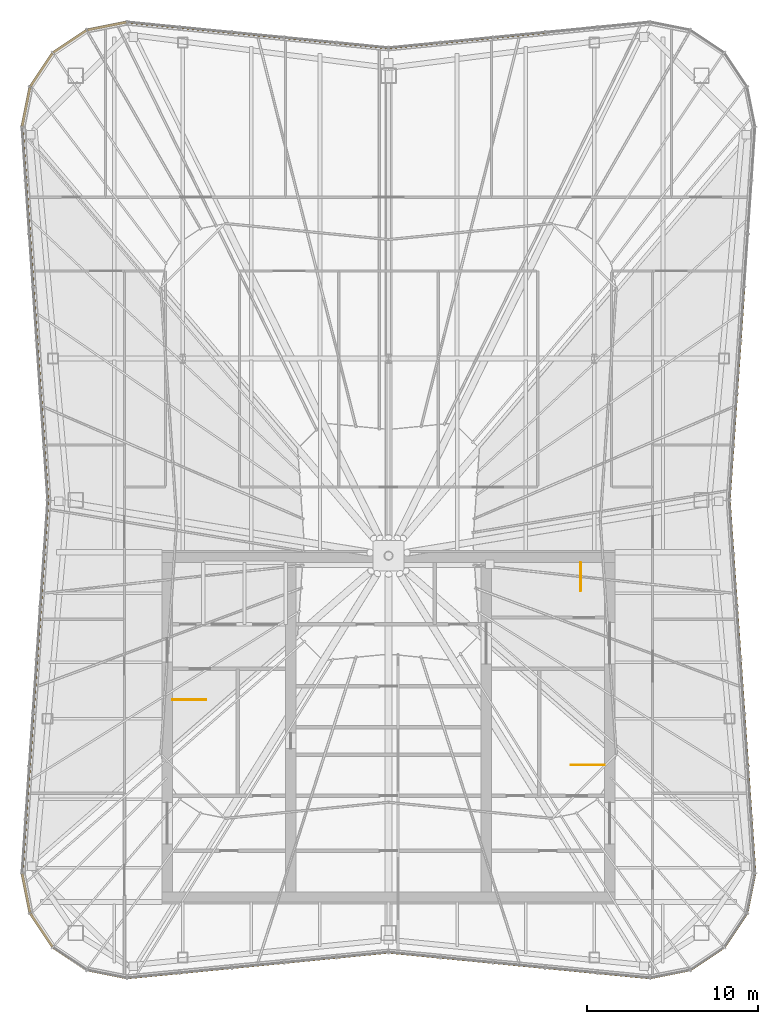
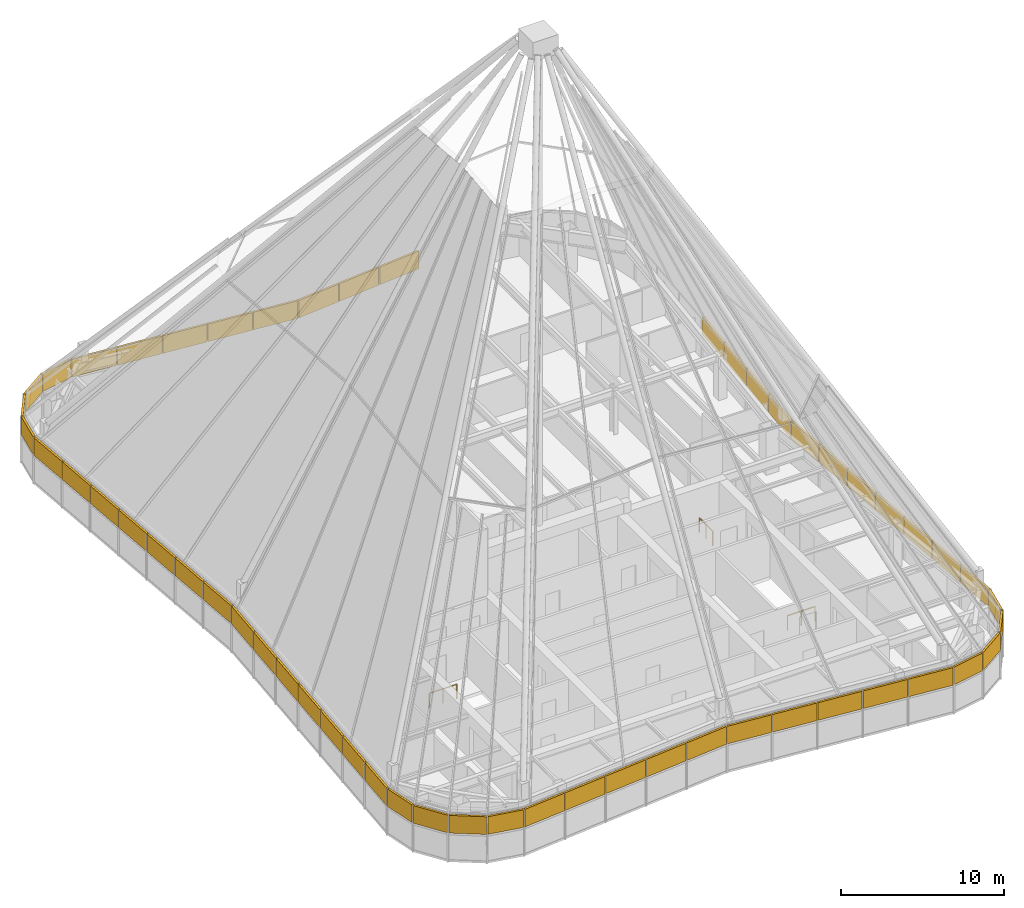
# One storey, part 27 of 28: 55 shading devices, 3 railings, 7 elements without a shape of their own.
"""IFC4 building model written with IfcOpenShell, lengths in metres."""

from ifc_helpers import new_model, si_unit, direction, frame, origin, origin_2d, place, context, subcontext, project, spatial, rectangle, circle, extrude, material, layer, layer_set, type_object, element, aggregate, save


model = new_model("IFC4")

# Units and contexts
model_context = context("Model", 3, precision=1e-05, world=origin(), true_north=direction((0.0, 1.0)))
body_context = subcontext(model_context, "Body", "Model", "MODEL_VIEW")
ifc_project = project(units=[si_unit("LENGTHUNIT", "METRE"), si_unit("AREAUNIT", "SQUARE_METRE"), si_unit("VOLUMEUNIT", "CUBIC_METRE"), si_unit("PLANEANGLEUNIT", "RADIAN"), si_unit("MASSUNIT", "GRAM", prefix="KILO")], contexts=[model_context])

# Site, building, storey
site_placement = place(None, origin())
site = spatial("IfcSite", under=ifc_project, at=site_placement, CompositionType="ELEMENT")
building_placement = place(site_placement, origin())
building = spatial("IfcBuilding", under=site, at=building_placement, Name="Verdant Reach Tower", CompositionType="ELEMENT")
storey_placement = place(building_placement, frame((0.0, 0.0, 368.0)))
storey = spatial("IfcBuildingStorey", under=building, at=storey_placement, Name="L83 Crown plant", CompositionType="ELEMENT", Elevation=368.0)

# Railings
ifc_material_1 = material(Name="Stainless steel", Category="steel")
railing_type = type_object("IfcRailingType", Name="CO-GUARD", PredefinedType="GUARDRAIL", material=ifc_material_1)
railing_1_placement = place(storey_placement, frame((-12.60009765625, 29.60009765625, 0.0)))
element("IfcRailing", 1, at=railing_1_placement, inside=storey, type_object=railing_type, Name="L83 Crown plant ST-1 top well guard 1", PredefinedType="GUARDRAIL", context=body_context, shape_type="SweptSolid", body=[
    extrude(circle(Radius=0.02392578125, at=origin_2d()), frame((0.0, 0.0, 1.076171875), z_axis=(1.0, 0.0, 0.0), x_axis=(0.0, 1.0, 0.0)), (0.0, 0.0, 1.0), 1.9501953125),
    extrude(circle(Radius=0.02099609375, at=origin_2d()), origin(), (0.0, 0.0, 1.0), 1.052001953125),
    extrude(circle(Radius=0.02099609375, at=origin_2d()), frame((0.97509765625, 0.0, 0.0)), (0.0, 0.0, 1.0), 1.052001953125),
    extrude(circle(Radius=0.02099609375, at=origin_2d()), frame((1.9501953125, 0.0, 0.0)), (0.0, 0.0, 1.0), 1.052001953125),
])
railing_2_placement = place(storey_placement, frame((12.60009765625, 25.800048828125, 0.0)))
element("IfcRailing", 2, at=railing_2_placement, inside=storey, type_object=railing_type, Name="L83 Crown plant ST-2 top well guard 1", PredefinedType="GUARDRAIL", context=body_context, shape_type="SweptSolid", body=[
    extrude(circle(Radius=0.02392578125, at=origin_2d()), frame((0.0, 0.0, 1.076171875), z_axis=(-1.0, 0.0, 0.0), x_axis=(0.0, -1.0, 0.0)), (0.0, 0.0, 1.0), 1.9501953125),
    extrude(circle(Radius=0.02099609375, at=origin_2d()), origin(), (0.0, 0.0, 1.0), 1.052001953125),
    extrude(circle(Radius=0.02099609375, at=origin_2d()), frame((-0.97509765625, 0.0, 0.0)), (0.0, 0.0, 1.0), 1.052001953125),
    extrude(circle(Radius=0.02099609375, at=origin_2d()), frame((-1.9501953125, 0.0, 0.0)), (0.0, 0.0, 1.0), 1.052001953125),
])
railing_3_placement = place(storey_placement, frame((11.199951171875, 37.60009765625, 0.0)))
element("IfcRailing", 3, at=railing_3_placement, inside=storey, type_object=railing_type, Name="L83 Crown plant ST-3 top well guard 1", PredefinedType="GUARDRAIL", context=body_context, shape_type="SweptSolid", body=[
    extrude(circle(Radius=0.02392578125, at=origin_2d()), frame((0.0, 0.0, 1.076171875), z_axis=(0.0, -1.0, 0.0), x_axis=(1.0, 0.0, 0.0)), (0.0, 0.0, 1.0), 1.650146484375),
    extrude(circle(Radius=0.02099609375, at=origin_2d()), origin(), (0.0, 0.0, 1.0), 1.052001953125),
    extrude(circle(Radius=0.02099609375, at=origin_2d()), frame((0.0, -0.8251953125, 0.0)), (0.0, 0.0, 1.0), 1.052001953125),
    extrude(circle(Radius=0.02099609375, at=origin_2d()), frame((0.0, -1.650146484375, 0.0)), (0.0, 0.0, 1.0), 1.052001953125),
])

# Curtain wall, shading devices
ifc_material_2 = material(Name="Anodised aluminium", Category="aluminium")
curtain_wall_type = type_object("IfcCurtainWallType", Name="EN-CW SYSTEM PLANT", PredefinedType="NOTDEFINED", material=ifc_material_2)
curtain_wall_1_placement = place(storey_placement, origin())
curtain_wall_1 = element("IfcCurtainWall", 4, at=curtain_wall_1_placement, inside=storey, type_object=curtain_wall_type, Name="Curtain wall south-east corner, L83", PredefinedType="NOTDEFINED")
ifc_material_3 = material(Name="Bronze anodised aluminium louvre", Category="aluminium")
ifc_layer = layer(ifc_material_3, 0.14990234375)
ifc_layer_set = layer_set([ifc_layer], Name="EN-LOUVRE")
shading_device_type = type_object("IfcShadingDeviceType", Name="EN-LOUVRE", PredefinedType="USERDEFINED", material=ifc_layer_set)
shading_device_1_placement = place(storey_placement, frame((16.423828125, 13.614013671875, 1.8251953125), z_axis=(0.0, 0.0, 1.0), x_axis=(0.980705120874, 0.195492879387, 0.0)))
shading_device_1 = element("IfcShadingDevice", 5, at=shading_device_1_placement, type_object=shading_device_type, Name="Louvre bank south-east corner 1, L83", ObjectType="LOUVRE", PredefinedType="USERDEFINED", context=body_context, shape_type="SweptSolid", body=[
    extrude(rectangle(XDim=2.3056640625, YDim=0.14990234375, at=origin_2d()), origin(), (0.0, 0.0, 1.0), 1.324951171875),
])
shading_device_2_placement = place(storey_placement, frame((18.584228515625, 14.510009765625, 1.8251953125), z_axis=(0.0, 0.0, 1.0), x_axis=(0.83145208321, 0.555596466265, 0.0)))
shading_device_2 = element("IfcShadingDevice", 6, at=shading_device_2_placement, type_object=shading_device_type, Name="Louvre bank south-east corner 2, L83", ObjectType="LOUVRE", PredefinedType="USERDEFINED", context=body_context, shape_type="SweptSolid", body=[
    extrude(rectangle(XDim=2.3115234375, YDim=0.14990234375, at=origin_2d()), origin(), (0.0, 0.0, 1.0), 1.324951171875),
])
shading_device_3_placement = place(storey_placement, frame((20.239990234375, 16.165771484375, 1.8251953125), z_axis=(0.0, 0.0, 1.0), x_axis=(0.555596466265, 0.83145208321, 0.0)))
shading_device_3 = element("IfcShadingDevice", 7, at=shading_device_3_placement, type_object=shading_device_type, Name="Louvre bank south-east corner 3, L83", ObjectType="LOUVRE", PredefinedType="USERDEFINED", context=body_context, shape_type="SweptSolid", body=[
    extrude(rectangle(XDim=2.3115234375, YDim=0.14990234375, at=origin_2d()), origin(), (0.0, 0.0, 1.0), 1.324951171875),
])
shading_device_4_placement = place(storey_placement, frame((21.135986328125, 18.325439453125, 1.8251953125), z_axis=(0.0, 0.0, 1.0), x_axis=(0.195592962334, 0.980685165119, 0.0)))
shading_device_4 = element("IfcShadingDevice", 8, at=shading_device_4_placement, type_object=shading_device_type, Name="Louvre bank south-east corner 4, L83", ObjectType="LOUVRE", PredefinedType="USERDEFINED", context=body_context, shape_type="SweptSolid", body=[
    extrude(rectangle(XDim=2.303955078125, YDim=0.14990234375, at=origin_2d()), origin(), (0.0, 0.0, 1.0), 1.324951171875),
])
aggregate(curtain_wall_1, [shading_device_1, shading_device_2, shading_device_3, shading_device_4])

curtain_wall_2_placement = place(storey_placement, origin())
curtain_wall_2 = element("IfcCurtainWall", 9, at=curtain_wall_2_placement, inside=storey, type_object=curtain_wall_type, Name="Curtain wall east, L83", PredefinedType="NOTDEFINED")
shading_device_5_placement = place(storey_placement, frame((21.261474609375, 21.053955078125, 1.8251953125), z_axis=(0.0, 0.0, 1.0), x_axis=(-0.068469163133, 0.997653233193, 0.0)))
shading_device_5 = element("IfcShadingDevice", 10, at=shading_device_5_placement, type_object=shading_device_type, Name="Louvre bank east face part 1 1, L83", ObjectType="LOUVRE", PredefinedType="USERDEFINED", context=body_context, shape_type="SweptSolid", body=[
    extrude(rectangle(XDim=3.05419921875, YDim=0.14990234375, at=origin_2d()), origin(), (0.0, 0.0, 1.0), 1.324951171875),
])
shading_device_6_placement = place(storey_placement, frame((21.04736328125, 24.1689453125, 1.8251953125), z_axis=(0.0, 0.0, 1.0), x_axis=(-0.068802091615, 0.997630328423, 0.0)))
shading_device_6 = element("IfcShadingDevice", 11, at=shading_device_6_placement, type_object=shading_device_type, Name="Louvre bank east face part 1 2, L83", ObjectType="LOUVRE", PredefinedType="USERDEFINED", context=body_context, shape_type="SweptSolid", body=[
    extrude(rectangle(XDim=3.03857421875, YDim=0.14990234375, at=origin_2d()), origin(), (0.0, 0.0, 1.0), 1.324951171875),
])
shading_device_7_placement = place(storey_placement, frame((20.8330078125, 27.276123046875, 1.8251953125), z_axis=(0.0, 0.0, 1.0), x_axis=(-0.068802091615, 0.997630328423, 0.0)))
shading_device_7 = element("IfcShadingDevice", 12, at=shading_device_7_placement, type_object=shading_device_type, Name="Louvre bank east face part 1 3, L83", ObjectType="LOUVRE", PredefinedType="USERDEFINED", context=body_context, shape_type="SweptSolid", body=[
    extrude(rectangle(XDim=3.03857421875, YDim=0.14990234375, at=origin_2d()), origin(), (0.0, 0.0, 1.0), 1.324951171875),
])
shading_device_8_placement = place(storey_placement, frame((20.61865234375, 30.38330078125, 1.8251953125), z_axis=(0.0, 0.0, 1.0), x_axis=(-0.068802091615, 0.997630328423, 0.0)))
shading_device_8 = element("IfcShadingDevice", 13, at=shading_device_8_placement, type_object=shading_device_type, Name="Louvre bank east face part 1 4, L83", ObjectType="LOUVRE", PredefinedType="USERDEFINED", context=body_context, shape_type="SweptSolid", body=[
    extrude(rectangle(XDim=3.03857421875, YDim=0.14990234375, at=origin_2d()), origin(), (0.0, 0.0, 1.0), 1.324951171875),
])
shading_device_9_placement = place(storey_placement, frame((20.404541015625, 33.490234375, 1.8251953125), z_axis=(0.0, 0.0, 1.0), x_axis=(-0.068802091615, 0.997630328423, 0.0)))
shading_device_9 = element("IfcShadingDevice", 14, at=shading_device_9_placement, type_object=shading_device_type, Name="Louvre bank east face part 1 5, L83", ObjectType="LOUVRE", PredefinedType="USERDEFINED", context=body_context, shape_type="SweptSolid", body=[
    extrude(rectangle(XDim=3.03857421875, YDim=0.14990234375, at=origin_2d()), origin(), (0.0, 0.0, 1.0), 1.324951171875),
])
shading_device_10_placement = place(storey_placement, frame((20.190185546875, 36.597412109375, 1.8251953125), z_axis=(0.0, 0.0, 1.0), x_axis=(-0.068802091615, 0.997630328423, 0.0)))
shading_device_10 = element("IfcShadingDevice", 15, at=shading_device_10_placement, type_object=shading_device_type, Name="Louvre bank east face part 1 6, L83", ObjectType="LOUVRE", PredefinedType="USERDEFINED", context=body_context, shape_type="SweptSolid", body=[
    extrude(rectangle(XDim=3.03857421875, YDim=0.14990234375, at=origin_2d()), origin(), (0.0, 0.0, 1.0), 1.324951171875),
])
shading_device_11_placement = place(storey_placement, frame((19.97607421875, 39.700439453125, 1.8251953125), z_axis=(0.0, 0.0, 1.0), x_axis=(-0.068892655483, 0.997624078509, 0.0)))
shading_device_11 = element("IfcShadingDevice", 16, at=shading_device_11_placement, type_object=shading_device_type, Name="Louvre bank east face part 1 7, L83", ObjectType="LOUVRE", PredefinedType="USERDEFINED", context=body_context, shape_type="SweptSolid", body=[
    extrude(rectangle(XDim=3.0302734375, YDim=0.14990234375, at=origin_2d()), origin(), (0.0, 0.0, 1.0), 1.324951171875),
])
shading_device_12_placement = place(storey_placement, frame((19.97607421875, 42.799560546875, 1.8251953125), z_axis=(0.0, 0.0, 1.0), x_axis=(0.068892655483, 0.997624078509, 0.0)))
shading_device_12 = element("IfcShadingDevice", 17, at=shading_device_12_placement, type_object=shading_device_type, Name="Louvre bank east face part 2 1, L83", ObjectType="LOUVRE", PredefinedType="USERDEFINED", context=body_context, shape_type="SweptSolid", body=[
    extrude(rectangle(XDim=3.0302734375, YDim=0.14990234375, at=origin_2d()), origin(), (0.0, 0.0, 1.0), 1.324951171875),
])
shading_device_13_placement = place(storey_placement, frame((20.190185546875, 45.902587890625, 1.8251953125), z_axis=(0.0, 0.0, 1.0), x_axis=(0.068802091615, 0.997630328423, 0.0)))
shading_device_13 = element("IfcShadingDevice", 18, at=shading_device_13_placement, type_object=shading_device_type, Name="Louvre bank east face part 2 2, L83", ObjectType="LOUVRE", PredefinedType="USERDEFINED", context=body_context, shape_type="SweptSolid", body=[
    extrude(rectangle(XDim=3.03857421875, YDim=0.14990234375, at=origin_2d()), origin(), (0.0, 0.0, 1.0), 1.324951171875),
])
shading_device_14_placement = place(storey_placement, frame((20.404541015625, 49.009765625, 1.8251953125), z_axis=(0.0, 0.0, 1.0), x_axis=(0.068802091615, 0.997630328423, 0.0)))
shading_device_14 = element("IfcShadingDevice", 19, at=shading_device_14_placement, type_object=shading_device_type, Name="Louvre bank east face part 2 3, L83", ObjectType="LOUVRE", PredefinedType="USERDEFINED", context=body_context, shape_type="SweptSolid", body=[
    extrude(rectangle(XDim=3.03857421875, YDim=0.14990234375, at=origin_2d()), origin(), (0.0, 0.0, 1.0), 1.324951171875),
])
shading_device_15_placement = place(storey_placement, frame((20.61865234375, 52.11669921875, 1.8251953125), z_axis=(0.0, 0.0, 1.0), x_axis=(0.068802091615, 0.997630328423, 0.0)))
shading_device_15 = element("IfcShadingDevice", 20, at=shading_device_15_placement, type_object=shading_device_type, Name="Louvre bank east face part 2 4, L83", ObjectType="LOUVRE", PredefinedType="USERDEFINED", context=body_context, shape_type="SweptSolid", body=[
    extrude(rectangle(XDim=3.03857421875, YDim=0.14990234375, at=origin_2d()), origin(), (0.0, 0.0, 1.0), 1.324951171875),
])
aggregate(curtain_wall_2, [shading_device_5, shading_device_6, shading_device_7, shading_device_8, shading_device_9, shading_device_10, shading_device_11, shading_device_12, shading_device_13, shading_device_14, shading_device_15])

curtain_wall_3_placement = place(storey_placement, origin())
curtain_wall_3 = element("IfcCurtainWall", 21, at=curtain_wall_3_placement, inside=storey, type_object=curtain_wall_type, Name="Curtain wall north, L83", PredefinedType="NOTDEFINED")
shading_device_16_placement = place(storey_placement, frame((7.61328125, 68.368408203125, 1.8251953125), z_axis=(0.0, 0.0, 1.0), x_axis=(-0.995197410875, -0.09788826992, 0.0)))
shading_device_16 = element("IfcShadingDevice", 22, at=shading_device_16_placement, type_object=shading_device_type, Name="Louvre bank north face part 1 3, L83", ObjectType="LOUVRE", PredefinedType="USERDEFINED", context=body_context, shape_type="SweptSolid", body=[
    extrude(rectangle(XDim=2.98876953125, YDim=0.14990234375, at=origin_2d()), origin(), (0.0, 0.0, 1.0), 1.324951171875),
])
shading_device_17_placement = place(storey_placement, frame((4.563232421875, 68.068359375, 1.8251953125), z_axis=(0.0, 0.0, 1.0), x_axis=(-0.995197410875, -0.09788826992, 0.0)))
shading_device_17 = element("IfcShadingDevice", 23, at=shading_device_17_placement, type_object=shading_device_type, Name="Louvre bank north face part 1 4, L83", ObjectType="LOUVRE", PredefinedType="USERDEFINED", context=body_context, shape_type="SweptSolid", body=[
    extrude(rectangle(XDim=2.98876953125, YDim=0.14990234375, at=origin_2d()), origin(), (0.0, 0.0, 1.0), 1.324951171875),
])
shading_device_18_placement = place(storey_placement, frame((1.519287109375, 67.768798828125, 1.8251953125), z_axis=(0.0, 0.0, 1.0), x_axis=(-0.995179069607, -0.098074560493, 0.0)))
shading_device_18 = element("IfcShadingDevice", 24, at=shading_device_18_placement, type_object=shading_device_type, Name="Louvre bank north face part 1 5, L83", ObjectType="LOUVRE", PredefinedType="USERDEFINED", context=body_context, shape_type="SweptSolid", body=[
    extrude(rectangle(XDim=2.97705078125, YDim=0.14990234375, at=origin_2d()), origin(), (0.0, 0.0, 1.0), 1.324951171875),
])
shading_device_19_placement = place(storey_placement, frame((-1.519287109375, 67.768798828125, 1.8251953125), z_axis=(0.0, 0.0, 1.0), x_axis=(-0.995179069607, 0.098074560493, 0.0)))
shading_device_19 = element("IfcShadingDevice", 25, at=shading_device_19_placement, type_object=shading_device_type, Name="Louvre bank north face part 2 1, L83", ObjectType="LOUVRE", PredefinedType="USERDEFINED", context=body_context, shape_type="SweptSolid", body=[
    extrude(rectangle(XDim=2.97705078125, YDim=0.14990234375, at=origin_2d()), origin(), (0.0, 0.0, 1.0), 1.324951171875),
])
shading_device_20_placement = place(storey_placement, frame((-4.563232421875, 68.068359375, 1.8251953125), z_axis=(0.0, 0.0, 1.0), x_axis=(-0.995197410875, 0.09788826992, 0.0)))
shading_device_20 = element("IfcShadingDevice", 26, at=shading_device_20_placement, type_object=shading_device_type, Name="Louvre bank north face part 2 2, L83", ObjectType="LOUVRE", PredefinedType="USERDEFINED", context=body_context, shape_type="SweptSolid", body=[
    extrude(rectangle(XDim=2.98876953125, YDim=0.14990234375, at=origin_2d()), origin(), (0.0, 0.0, 1.0), 1.324951171875),
])
shading_device_21_placement = place(storey_placement, frame((-7.61328125, 68.368408203125, 1.8251953125), z_axis=(0.0, 0.0, 1.0), x_axis=(-0.995197410875, 0.09788826992, 0.0)))
shading_device_21 = element("IfcShadingDevice", 27, at=shading_device_21_placement, type_object=shading_device_type, Name="Louvre bank north face part 2 3, L83", ObjectType="LOUVRE", PredefinedType="USERDEFINED", context=body_context, shape_type="SweptSolid", body=[
    extrude(rectangle(XDim=2.98876953125, YDim=0.14990234375, at=origin_2d()), origin(), (0.0, 0.0, 1.0), 1.324951171875),
])
shading_device_22_placement = place(storey_placement, frame((-10.663330078125, 68.66845703125, 1.8251953125), z_axis=(0.0, 0.0, 1.0), x_axis=(-0.995197410875, 0.09788826992, 0.0)))
shading_device_22 = element("IfcShadingDevice", 28, at=shading_device_22_placement, type_object=shading_device_type, Name="Louvre bank north face part 2 4, L83", ObjectType="LOUVRE", PredefinedType="USERDEFINED", context=body_context, shape_type="SweptSolid", body=[
    extrude(rectangle(XDim=2.98876953125, YDim=0.14990234375, at=origin_2d()), origin(), (0.0, 0.0, 1.0), 1.324951171875),
])
shading_device_23_placement = place(storey_placement, frame((-13.72216796875, 68.96875, 1.8251953125), z_axis=(0.0, 0.0, 1.0), x_axis=(-0.995238191716, 0.097472774402, 0.0)))
shading_device_23 = element("IfcShadingDevice", 29, at=shading_device_23_placement, type_object=shading_device_type, Name="Louvre bank north face part 2 5, L83", ObjectType="LOUVRE", PredefinedType="USERDEFINED", context=body_context, shape_type="SweptSolid", body=[
    extrude(rectangle(XDim=3.006103515625, YDim=0.14990234375, at=origin_2d()), origin(), (0.0, 0.0, 1.0), 1.324951171875),
])
aggregate(curtain_wall_3, [shading_device_16, shading_device_17, shading_device_18, shading_device_19, shading_device_20, shading_device_21, shading_device_22, shading_device_23])

curtain_wall_4_placement = place(storey_placement, origin())
curtain_wall_4 = element("IfcCurtainWall", 30, at=curtain_wall_4_placement, inside=storey, type_object=curtain_wall_type, Name="Curtain wall north-west corner, L83", PredefinedType="NOTDEFINED")
shading_device_24_placement = place(storey_placement, frame((-16.423828125, 68.885986328125, 1.8251953125), z_axis=(0.0, 0.0, 1.0), x_axis=(-0.980705120874, -0.195492879387, 0.0)))
shading_device_24 = element("IfcShadingDevice", 31, at=shading_device_24_placement, type_object=shading_device_type, Name="Louvre bank north-west corner 1, L83", ObjectType="LOUVRE", PredefinedType="USERDEFINED", context=body_context, shape_type="SweptSolid", body=[
    extrude(rectangle(XDim=2.3056640625, YDim=0.14990234375, at=origin_2d()), origin(), (0.0, 0.0, 1.0), 1.324951171875),
])
shading_device_25_placement = place(storey_placement, frame((-18.584228515625, 67.989990234375, 1.8251953125), z_axis=(0.0, 0.0, 1.0), x_axis=(-0.83145208321, -0.555596466265, 0.0)))
shading_device_25 = element("IfcShadingDevice", 32, at=shading_device_25_placement, type_object=shading_device_type, Name="Louvre bank north-west corner 2, L83", ObjectType="LOUVRE", PredefinedType="USERDEFINED", context=body_context, shape_type="SweptSolid", body=[
    extrude(rectangle(XDim=2.3115234375, YDim=0.14990234375, at=origin_2d()), origin(), (0.0, 0.0, 1.0), 1.324951171875),
])
shading_device_26_placement = place(storey_placement, frame((-20.239990234375, 66.334228515625, 1.8251953125), z_axis=(0.0, 0.0, 1.0), x_axis=(-0.555596466265, -0.83145208321, 0.0)))
shading_device_26 = element("IfcShadingDevice", 33, at=shading_device_26_placement, type_object=shading_device_type, Name="Louvre bank north-west corner 3, L83", ObjectType="LOUVRE", PredefinedType="USERDEFINED", context=body_context, shape_type="SweptSolid", body=[
    extrude(rectangle(XDim=2.3115234375, YDim=0.14990234375, at=origin_2d()), origin(), (0.0, 0.0, 1.0), 1.324951171875),
])
shading_device_27_placement = place(storey_placement, frame((-21.135986328125, 64.174560546875, 1.8251953125), z_axis=(0.0, 0.0, 1.0), x_axis=(-0.195592962334, -0.980685165119, 0.0)))
shading_device_27 = element("IfcShadingDevice", 34, at=shading_device_27_placement, type_object=shading_device_type, Name="Louvre bank north-west corner 4, L83", ObjectType="LOUVRE", PredefinedType="USERDEFINED", context=body_context, shape_type="SweptSolid", body=[
    extrude(rectangle(XDim=2.303955078125, YDim=0.14990234375, at=origin_2d()), origin(), (0.0, 0.0, 1.0), 1.324951171875),
])
aggregate(curtain_wall_4, [shading_device_24, shading_device_25, shading_device_26, shading_device_27])

curtain_wall_5_placement = place(storey_placement, origin())
curtain_wall_5 = element("IfcCurtainWall", 35, at=curtain_wall_5_placement, inside=storey, type_object=curtain_wall_type, Name="Curtain wall west, L83", PredefinedType="NOTDEFINED")
shading_device_28_placement = place(storey_placement, frame((-21.261474609375, 61.446044921875, 1.8251953125), z_axis=(0.0, 0.0, 1.0), x_axis=(0.068469163133, -0.997653233193, 0.0)))
shading_device_28 = element("IfcShadingDevice", 36, at=shading_device_28_placement, type_object=shading_device_type, Name="Louvre bank west face part 1 1, L83", ObjectType="LOUVRE", PredefinedType="USERDEFINED", context=body_context, shape_type="SweptSolid", body=[
    extrude(rectangle(XDim=3.05419921875, YDim=0.14990234375, at=origin_2d()), origin(), (0.0, 0.0, 1.0), 1.324951171875),
])
shading_device_29_placement = place(storey_placement, frame((-21.04736328125, 58.3310546875, 1.8251953125), z_axis=(0.0, 0.0, 1.0), x_axis=(0.068802091615, -0.997630328423, 0.0)))
shading_device_29 = element("IfcShadingDevice", 37, at=shading_device_29_placement, type_object=shading_device_type, Name="Louvre bank west face part 1 2, L83", ObjectType="LOUVRE", PredefinedType="USERDEFINED", context=body_context, shape_type="SweptSolid", body=[
    extrude(rectangle(XDim=3.03857421875, YDim=0.14990234375, at=origin_2d()), origin(), (0.0, 0.0, 1.0), 1.324951171875),
])
shading_device_30_placement = place(storey_placement, frame((-20.8330078125, 55.223876953125, 1.8251953125), z_axis=(0.0, 0.0, 1.0), x_axis=(0.068802091615, -0.997630328423, 0.0)))
shading_device_30 = element("IfcShadingDevice", 38, at=shading_device_30_placement, type_object=shading_device_type, Name="Louvre bank west face part 1 3, L83", ObjectType="LOUVRE", PredefinedType="USERDEFINED", context=body_context, shape_type="SweptSolid", body=[
    extrude(rectangle(XDim=3.03857421875, YDim=0.14990234375, at=origin_2d()), origin(), (0.0, 0.0, 1.0), 1.324951171875),
])
shading_device_31_placement = place(storey_placement, frame((-20.61865234375, 52.11669921875, 1.8251953125), z_axis=(0.0, 0.0, 1.0), x_axis=(0.068802091615, -0.997630328423, 0.0)))
shading_device_31 = element("IfcShadingDevice", 39, at=shading_device_31_placement, type_object=shading_device_type, Name="Louvre bank west face part 1 4, L83", ObjectType="LOUVRE", PredefinedType="USERDEFINED", context=body_context, shape_type="SweptSolid", body=[
    extrude(rectangle(XDim=3.03857421875, YDim=0.14990234375, at=origin_2d()), origin(), (0.0, 0.0, 1.0), 1.324951171875),
])
shading_device_32_placement = place(storey_placement, frame((-20.404541015625, 49.009765625, 1.8251953125), z_axis=(0.0, 0.0, 1.0), x_axis=(0.068802091615, -0.997630328423, 0.0)))
shading_device_32 = element("IfcShadingDevice", 40, at=shading_device_32_placement, type_object=shading_device_type, Name="Louvre bank west face part 1 5, L83", ObjectType="LOUVRE", PredefinedType="USERDEFINED", context=body_context, shape_type="SweptSolid", body=[
    extrude(rectangle(XDim=3.03857421875, YDim=0.14990234375, at=origin_2d()), origin(), (0.0, 0.0, 1.0), 1.324951171875),
])
shading_device_33_placement = place(storey_placement, frame((-20.190185546875, 45.902587890625, 1.8251953125), z_axis=(0.0, 0.0, 1.0), x_axis=(0.068802091615, -0.997630328423, 0.0)))
shading_device_33 = element("IfcShadingDevice", 41, at=shading_device_33_placement, type_object=shading_device_type, Name="Louvre bank west face part 1 6, L83", ObjectType="LOUVRE", PredefinedType="USERDEFINED", context=body_context, shape_type="SweptSolid", body=[
    extrude(rectangle(XDim=3.03857421875, YDim=0.14990234375, at=origin_2d()), origin(), (0.0, 0.0, 1.0), 1.324951171875),
])
shading_device_34_placement = place(storey_placement, frame((-19.97607421875, 42.799560546875, 1.8251953125), z_axis=(0.0, 0.0, 1.0), x_axis=(0.068892655483, -0.997624078509, 0.0)))
shading_device_34 = element("IfcShadingDevice", 42, at=shading_device_34_placement, type_object=shading_device_type, Name="Louvre bank west face part 1 7, L83", ObjectType="LOUVRE", PredefinedType="USERDEFINED", context=body_context, shape_type="SweptSolid", body=[
    extrude(rectangle(XDim=3.0302734375, YDim=0.14990234375, at=origin_2d()), origin(), (0.0, 0.0, 1.0), 1.324951171875),
])
shading_device_35_placement = place(storey_placement, frame((-19.97607421875, 39.700439453125, 1.8251953125), z_axis=(0.0, 0.0, 1.0), x_axis=(-0.068892655483, -0.997624078509, 0.0)))
shading_device_35 = element("IfcShadingDevice", 43, at=shading_device_35_placement, type_object=shading_device_type, Name="Louvre bank west face part 2 1, L83", ObjectType="LOUVRE", PredefinedType="USERDEFINED", context=body_context, shape_type="SweptSolid", body=[
    extrude(rectangle(XDim=3.0302734375, YDim=0.14990234375, at=origin_2d()), origin(), (0.0, 0.0, 1.0), 1.324951171875),
])
shading_device_36_placement = place(storey_placement, frame((-20.190185546875, 36.597412109375, 1.8251953125), z_axis=(0.0, 0.0, 1.0), x_axis=(-0.068802091615, -0.997630328423, 0.0)))
shading_device_36 = element("IfcShadingDevice", 44, at=shading_device_36_placement, type_object=shading_device_type, Name="Louvre bank west face part 2 2, L83", ObjectType="LOUVRE", PredefinedType="USERDEFINED", context=body_context, shape_type="SweptSolid", body=[
    extrude(rectangle(XDim=3.03857421875, YDim=0.14990234375, at=origin_2d()), origin(), (0.0, 0.0, 1.0), 1.324951171875),
])
shading_device_37_placement = place(storey_placement, frame((-20.404541015625, 33.490234375, 1.8251953125), z_axis=(0.0, 0.0, 1.0), x_axis=(-0.068802091615, -0.997630328423, 0.0)))
shading_device_37 = element("IfcShadingDevice", 45, at=shading_device_37_placement, type_object=shading_device_type, Name="Louvre bank west face part 2 3, L83", ObjectType="LOUVRE", PredefinedType="USERDEFINED", context=body_context, shape_type="SweptSolid", body=[
    extrude(rectangle(XDim=3.03857421875, YDim=0.14990234375, at=origin_2d()), origin(), (0.0, 0.0, 1.0), 1.324951171875),
])
shading_device_38_placement = place(storey_placement, frame((-20.61865234375, 30.38330078125, 1.8251953125), z_axis=(0.0, 0.0, 1.0), x_axis=(-0.068802091615, -0.997630328423, 0.0)))
shading_device_38 = element("IfcShadingDevice", 46, at=shading_device_38_placement, type_object=shading_device_type, Name="Louvre bank west face part 2 4, L83", ObjectType="LOUVRE", PredefinedType="USERDEFINED", context=body_context, shape_type="SweptSolid", body=[
    extrude(rectangle(XDim=3.03857421875, YDim=0.14990234375, at=origin_2d()), origin(), (0.0, 0.0, 1.0), 1.324951171875),
])
shading_device_39_placement = place(storey_placement, frame((-20.8330078125, 27.276123046875, 1.8251953125), z_axis=(0.0, 0.0, 1.0), x_axis=(-0.068802091615, -0.997630328423, 0.0)))
shading_device_39 = element("IfcShadingDevice", 47, at=shading_device_39_placement, type_object=shading_device_type, Name="Louvre bank west face part 2 5, L83", ObjectType="LOUVRE", PredefinedType="USERDEFINED", context=body_context, shape_type="SweptSolid", body=[
    extrude(rectangle(XDim=3.03857421875, YDim=0.14990234375, at=origin_2d()), origin(), (0.0, 0.0, 1.0), 1.324951171875),
])
shading_device_40_placement = place(storey_placement, frame((-21.04736328125, 24.1689453125, 1.8251953125), z_axis=(0.0, 0.0, 1.0), x_axis=(-0.068802091615, -0.997630328423, 0.0)))
shading_device_40 = element("IfcShadingDevice", 48, at=shading_device_40_placement, type_object=shading_device_type, Name="Louvre bank west face part 2 6, L83", ObjectType="LOUVRE", PredefinedType="USERDEFINED", context=body_context, shape_type="SweptSolid", body=[
    extrude(rectangle(XDim=3.03857421875, YDim=0.14990234375, at=origin_2d()), origin(), (0.0, 0.0, 1.0), 1.324951171875),
])
shading_device_41_placement = place(storey_placement, frame((-21.261474609375, 21.053955078125, 1.8251953125), z_axis=(0.0, 0.0, 1.0), x_axis=(-0.068469163133, -0.997653233193, 0.0)))
shading_device_41 = element("IfcShadingDevice", 49, at=shading_device_41_placement, type_object=shading_device_type, Name="Louvre bank west face part 2 7, L83", ObjectType="LOUVRE", PredefinedType="USERDEFINED", context=body_context, shape_type="SweptSolid", body=[
    extrude(rectangle(XDim=3.05419921875, YDim=0.14990234375, at=origin_2d()), origin(), (0.0, 0.0, 1.0), 1.324951171875),
])
aggregate(curtain_wall_5, [shading_device_28, shading_device_29, shading_device_30, shading_device_31, shading_device_32, shading_device_33, shading_device_34, shading_device_35, shading_device_36, shading_device_37, shading_device_38, shading_device_39, shading_device_40, shading_device_41])

curtain_wall_6_placement = place(storey_placement, origin())
curtain_wall_6 = element("IfcCurtainWall", 50, at=curtain_wall_6_placement, inside=storey, type_object=curtain_wall_type, Name="Curtain wall south-west corner, L83", PredefinedType="NOTDEFINED")
shading_device_42_placement = place(storey_placement, frame((-21.135986328125, 18.325439453125, 1.8251953125), z_axis=(0.0, 0.0, 1.0), x_axis=(0.195592962334, -0.980685165119, 0.0)))
shading_device_42 = element("IfcShadingDevice", 51, at=shading_device_42_placement, type_object=shading_device_type, Name="Louvre bank south-west corner 1, L83", ObjectType="LOUVRE", PredefinedType="USERDEFINED", context=body_context, shape_type="SweptSolid", body=[
    extrude(rectangle(XDim=2.303955078125, YDim=0.14990234375, at=origin_2d()), origin(), (0.0, 0.0, 1.0), 1.324951171875),
])
shading_device_43_placement = place(storey_placement, frame((-20.239990234375, 16.165771484375, 1.8251953125), z_axis=(0.0, 0.0, 1.0), x_axis=(0.555596466265, -0.83145208321, 0.0)))
shading_device_43 = element("IfcShadingDevice", 52, at=shading_device_43_placement, type_object=shading_device_type, Name="Louvre bank south-west corner 2, L83", ObjectType="LOUVRE", PredefinedType="USERDEFINED", context=body_context, shape_type="SweptSolid", body=[
    extrude(rectangle(XDim=2.3115234375, YDim=0.14990234375, at=origin_2d()), origin(), (0.0, 0.0, 1.0), 1.324951171875),
])
shading_device_44_placement = place(storey_placement, frame((-18.584228515625, 14.510009765625, 1.8251953125), z_axis=(0.0, 0.0, 1.0), x_axis=(0.83145208321, -0.555596466265, 0.0)))
shading_device_44 = element("IfcShadingDevice", 53, at=shading_device_44_placement, type_object=shading_device_type, Name="Louvre bank south-west corner 3, L83", ObjectType="LOUVRE", PredefinedType="USERDEFINED", context=body_context, shape_type="SweptSolid", body=[
    extrude(rectangle(XDim=2.3115234375, YDim=0.14990234375, at=origin_2d()), origin(), (0.0, 0.0, 1.0), 1.324951171875),
])
shading_device_45_placement = place(storey_placement, frame((-16.423828125, 13.614013671875, 1.8251953125), z_axis=(0.0, 0.0, 1.0), x_axis=(0.980705120874, -0.195492879387, 0.0)))
shading_device_45 = element("IfcShadingDevice", 54, at=shading_device_45_placement, type_object=shading_device_type, Name="Louvre bank south-west corner 4, L83", ObjectType="LOUVRE", PredefinedType="USERDEFINED", context=body_context, shape_type="SweptSolid", body=[
    extrude(rectangle(XDim=2.3056640625, YDim=0.14990234375, at=origin_2d()), origin(), (0.0, 0.0, 1.0), 1.324951171875),
])
aggregate(curtain_wall_6, [shading_device_42, shading_device_43, shading_device_44, shading_device_45])

curtain_wall_7_placement = place(storey_placement, origin())
curtain_wall_7 = element("IfcCurtainWall", 55, at=curtain_wall_7_placement, inside=storey, type_object=curtain_wall_type, Name="Curtain wall south, L83", PredefinedType="NOTDEFINED")
shading_device_46_placement = place(storey_placement, frame((-13.72216796875, 13.53125, 1.8251953125), z_axis=(0.0, 0.0, 1.0), x_axis=(0.995238191716, 0.097472774402, 0.0)))
shading_device_46 = element("IfcShadingDevice", 56, at=shading_device_46_placement, type_object=shading_device_type, Name="Louvre bank south face part 1 1, L83", ObjectType="LOUVRE", PredefinedType="USERDEFINED", context=body_context, shape_type="SweptSolid", body=[
    extrude(rectangle(XDim=3.006103515625, YDim=0.14990234375, at=origin_2d()), origin(), (0.0, 0.0, 1.0), 1.324951171875),
])
shading_device_47_placement = place(storey_placement, frame((-10.663330078125, 13.83154296875, 1.8251953125), z_axis=(0.0, 0.0, 1.0), x_axis=(0.995197410875, 0.09788826992, 0.0)))
shading_device_47 = element("IfcShadingDevice", 57, at=shading_device_47_placement, type_object=shading_device_type, Name="Louvre bank south face part 1 2, L83", ObjectType="LOUVRE", PredefinedType="USERDEFINED", context=body_context, shape_type="SweptSolid", body=[
    extrude(rectangle(XDim=2.98876953125, YDim=0.14990234375, at=origin_2d()), origin(), (0.0, 0.0, 1.0), 1.324951171875),
])
shading_device_48_placement = place(storey_placement, frame((-7.61328125, 14.131591796875, 1.8251953125), z_axis=(0.0, 0.0, 1.0), x_axis=(0.995197410875, 0.09788826992, 0.0)))
shading_device_48 = element("IfcShadingDevice", 58, at=shading_device_48_placement, type_object=shading_device_type, Name="Louvre bank south face part 1 3, L83", ObjectType="LOUVRE", PredefinedType="USERDEFINED", context=body_context, shape_type="SweptSolid", body=[
    extrude(rectangle(XDim=2.98876953125, YDim=0.14990234375, at=origin_2d()), origin(), (0.0, 0.0, 1.0), 1.324951171875),
])
shading_device_49_placement = place(storey_placement, frame((-4.563232421875, 14.431640625, 1.8251953125), z_axis=(0.0, 0.0, 1.0), x_axis=(0.995197410875, 0.09788826992, 0.0)))
shading_device_49 = element("IfcShadingDevice", 59, at=shading_device_49_placement, type_object=shading_device_type, Name="Louvre bank south face part 1 4, L83", ObjectType="LOUVRE", PredefinedType="USERDEFINED", context=body_context, shape_type="SweptSolid", body=[
    extrude(rectangle(XDim=2.98876953125, YDim=0.14990234375, at=origin_2d()), origin(), (0.0, 0.0, 1.0), 1.324951171875),
])
shading_device_50_placement = place(storey_placement, frame((-1.519287109375, 14.731201171875, 1.8251953125), z_axis=(0.0, 0.0, 1.0), x_axis=(0.995179069607, 0.098074560493, 0.0)))
shading_device_50 = element("IfcShadingDevice", 60, at=shading_device_50_placement, type_object=shading_device_type, Name="Louvre bank south face part 1 5, L83", ObjectType="LOUVRE", PredefinedType="USERDEFINED", context=body_context, shape_type="SweptSolid", body=[
    extrude(rectangle(XDim=2.97705078125, YDim=0.14990234375, at=origin_2d()), origin(), (0.0, 0.0, 1.0), 1.324951171875),
])
shading_device_51_placement = place(storey_placement, frame((1.519287109375, 14.731201171875, 1.8251953125), z_axis=(0.0, 0.0, 1.0), x_axis=(0.995179069607, -0.098074560493, 0.0)))
shading_device_51 = element("IfcShadingDevice", 61, at=shading_device_51_placement, type_object=shading_device_type, Name="Louvre bank south face part 2 1, L83", ObjectType="LOUVRE", PredefinedType="USERDEFINED", context=body_context, shape_type="SweptSolid", body=[
    extrude(rectangle(XDim=2.97705078125, YDim=0.14990234375, at=origin_2d()), origin(), (0.0, 0.0, 1.0), 1.324951171875),
])
shading_device_52_placement = place(storey_placement, frame((4.563232421875, 14.431640625, 1.8251953125), z_axis=(0.0, 0.0, 1.0), x_axis=(0.995197410875, -0.09788826992, 0.0)))
shading_device_52 = element("IfcShadingDevice", 62, at=shading_device_52_placement, type_object=shading_device_type, Name="Louvre bank south face part 2 2, L83", ObjectType="LOUVRE", PredefinedType="USERDEFINED", context=body_context, shape_type="SweptSolid", body=[
    extrude(rectangle(XDim=2.98876953125, YDim=0.14990234375, at=origin_2d()), origin(), (0.0, 0.0, 1.0), 1.324951171875),
])
shading_device_53_placement = place(storey_placement, frame((7.61328125, 14.131591796875, 1.8251953125), z_axis=(0.0, 0.0, 1.0), x_axis=(0.995197410875, -0.09788826992, 0.0)))
shading_device_53 = element("IfcShadingDevice", 63, at=shading_device_53_placement, type_object=shading_device_type, Name="Louvre bank south face part 2 3, L83", ObjectType="LOUVRE", PredefinedType="USERDEFINED", context=body_context, shape_type="SweptSolid", body=[
    extrude(rectangle(XDim=2.98876953125, YDim=0.14990234375, at=origin_2d()), origin(), (0.0, 0.0, 1.0), 1.324951171875),
])
shading_device_54_placement = place(storey_placement, frame((10.663330078125, 13.83154296875, 1.8251953125), z_axis=(0.0, 0.0, 1.0), x_axis=(0.995197410875, -0.09788826992, 0.0)))
shading_device_54 = element("IfcShadingDevice", 64, at=shading_device_54_placement, type_object=shading_device_type, Name="Louvre bank south face part 2 4, L83", ObjectType="LOUVRE", PredefinedType="USERDEFINED", context=body_context, shape_type="SweptSolid", body=[
    extrude(rectangle(XDim=2.98876953125, YDim=0.14990234375, at=origin_2d()), origin(), (0.0, 0.0, 1.0), 1.324951171875),
])
shading_device_55_placement = place(storey_placement, frame((13.72216796875, 13.53125, 1.8251953125), z_axis=(0.0, 0.0, 1.0), x_axis=(0.995238191716, -0.097472774402, 0.0)))
shading_device_55 = element("IfcShadingDevice", 65, at=shading_device_55_placement, type_object=shading_device_type, Name="Louvre bank south face part 2 5, L83", ObjectType="LOUVRE", PredefinedType="USERDEFINED", context=body_context, shape_type="SweptSolid", body=[
    extrude(rectangle(XDim=3.006103515625, YDim=0.14990234375, at=origin_2d()), origin(), (0.0, 0.0, 1.0), 1.324951171875),
])
aggregate(curtain_wall_7, [shading_device_46, shading_device_47, shading_device_48, shading_device_49, shading_device_50, shading_device_51, shading_device_52, shading_device_53, shading_device_54, shading_device_55])

save(model, "model.ifc")
